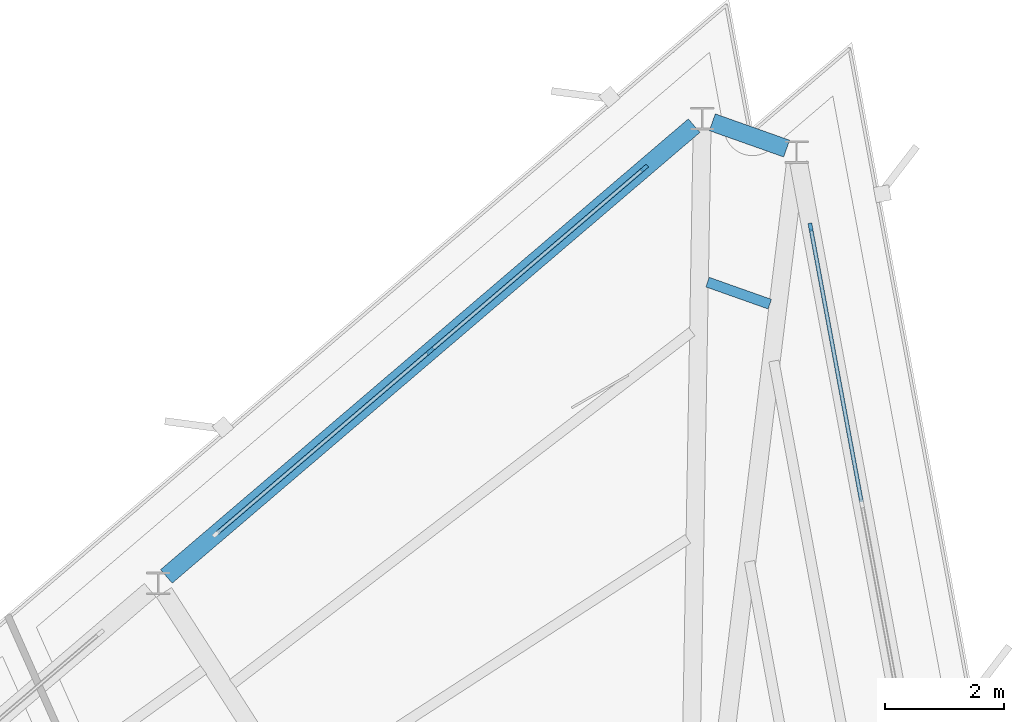
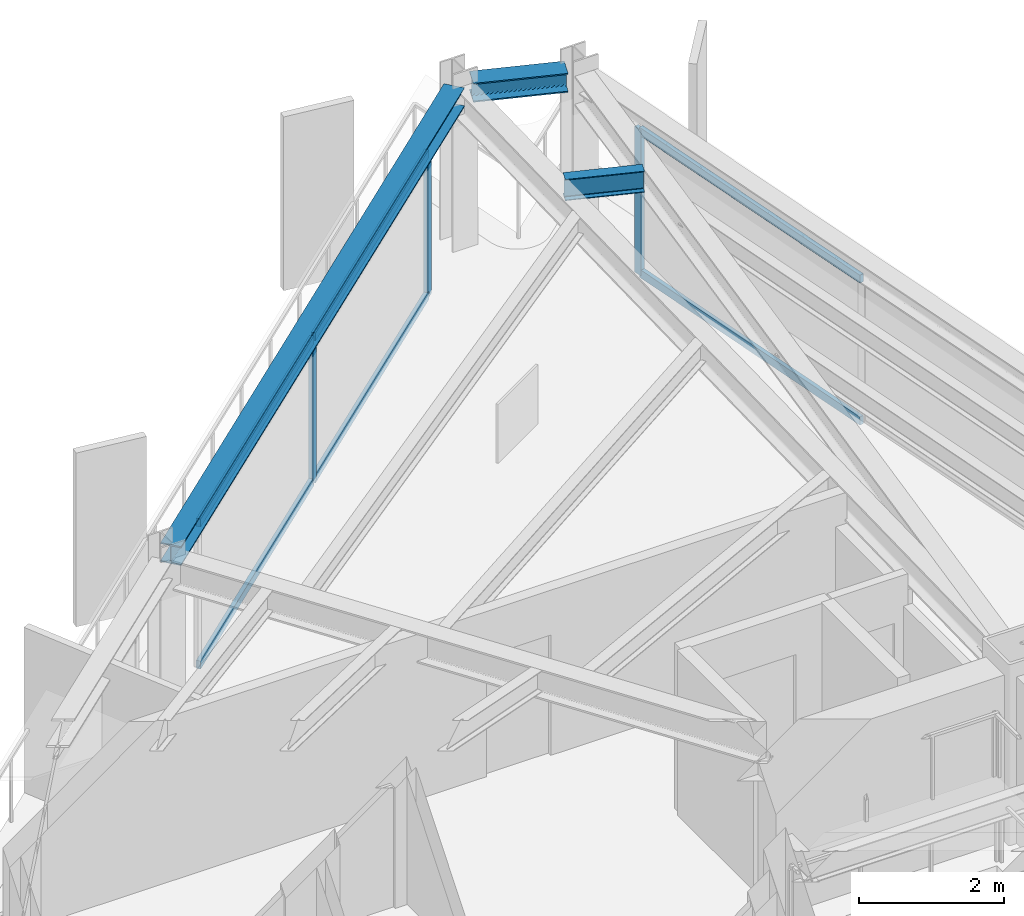
# One storey, part 7 of 14: 9 members, 3 beams, 2 elements without a shape of their own.
"""IFC4 building model written with IfcOpenShell, lengths in metres."""

from ifc_helpers import new_model, si_unit, direction, frame, origin, origin_2d, place, context, subcontext, project, spatial, rectangle, i_section, extrude, material, layer, layer_set, material_profile, profile_set, type_object, element, aggregate, save


model = new_model("IFC4")

# Units and contexts
model_context = context("Model", 3, precision=1e-05, world=origin(), true_north=direction((0.0, 1.0)))
body_context = subcontext(model_context, "Body", "Model", "MODEL_VIEW")
ifc_project = project(units=[si_unit("LENGTHUNIT", "METRE"), si_unit("AREAUNIT", "SQUARE_METRE"), si_unit("VOLUMEUNIT", "CUBIC_METRE"), si_unit("PLANEANGLEUNIT", "RADIAN"), si_unit("MASSUNIT", "GRAM", prefix="KILO")], contexts=[model_context])

# Site, building, storey
site_placement = place(None, origin())
site = spatial("IfcSite", under=ifc_project, at=site_placement, CompositionType="ELEMENT")
building_placement = place(site_placement, origin())
building = spatial("IfcBuilding", under=site, at=building_placement, Name="Rocaltana Carrier Exchange", CompositionType="ELEMENT")
storey_placement = place(building_placement, frame((0.0, 0.0, 187.52001953125)))
storey = spatial("IfcBuildingStorey", under=building, at=storey_placement, Name="L59", CompositionType="ELEMENT", Elevation=187.52001953125)

# Curtain wall, member
ifc_material_1 = material(Name="Aluminium 6063-T6", Category="aluminium")
ifc_layer = layer(ifc_material_1, 0.135009765625)
ifc_layer_set = layer_set([ifc_layer], Name="Aluminium 6063-T6")
curtain_wall_type = type_object("IfcCurtainWallType", Name="Upper-Mid Acoustic Curtain Wall CW-04", PredefinedType="NOTDEFINED", material=ifc_layer_set)
curtain_wall_1_placement = place(storey_placement, origin())
curtain_wall_1 = element("IfcCurtainWall", 1, at=curtain_wall_1_placement, inside=storey, type_object=curtain_wall_type, Name="L59 CW-04 Run CW-L59-F1S3", PredefinedType="NOTDEFINED")
ifc_material_2 = material(Name="Aluminium 6063-T6", Category="aluminium")
ifc_material_profile_1 = material_profile(ifc_material_2, rectangle(XDim=0.06494140625, YDim=0.135009765625, at=origin_2d()), Name="AL-65X135")
ifc_profile_set_1 = profile_set([ifc_material_profile_1], Name="Aluminium 6063-T6")
member_type_1 = type_object("IfcMemberType", Name="CW-04 Mullion AL-65X135", PredefinedType="MULLION", material=ifc_profile_set_1)
member_1_placement = place(storey_placement, frame((8.1474609375, 18.56298828125, 0.0), z_axis=(0.0, 0.0, 1.0), x_axis=(-0.983254796134, -0.182236126712, 0.0)))
member_1 = element("IfcMember", 2, at=member_1_placement, type_object=member_type_1, Name="CW-04 mullion 3", PredefinedType="MULLION", context=body_context, shape_type="SweptSolid", body=[
    extrude(rectangle(XDim=0.06494140625, YDim=0.135009765625, at=origin_2d()), origin(), (0.0, 0.0, 1.0), 2.447998046875),
])

# Curtain wall, members
curtain_wall_2_placement = place(storey_placement, origin())
curtain_wall_2 = element("IfcCurtainWall", 3, at=curtain_wall_2_placement, inside=storey, type_object=curtain_wall_type, Name="L59 CW-04 Run CW-L59-F2S1", PredefinedType="NOTDEFINED")
member_2_placement = place(storey_placement, frame((5.350341796875, 19.5537109375, 0.0), z_axis=(0.0, 0.0, 1.0), x_axis=(0.649447944918, -0.760406053922, 0.0)))
member_2 = element("IfcMember", 4, at=member_2_placement, type_object=member_type_1, Name="CW-04 mullion 1", PredefinedType="MULLION", context=body_context, shape_type="SweptSolid", body=[
    extrude(rectangle(XDim=0.06494140625, YDim=0.135009765625, at=origin_2d()), origin(), (0.0, 0.0, 1.0), 2.447998046875),
])
member_3_placement = place(storey_placement, frame((1.75048828125, 16.47900390625, 0.0), z_axis=(0.0, 0.0, 1.0), x_axis=(0.649447944918, -0.760406053922, 0.0)))
member_3 = element("IfcMember", 5, at=member_3_placement, type_object=member_type_1, Name="CW-04 mullion 2", PredefinedType="MULLION", context=body_context, shape_type="SweptSolid", body=[
    extrude(rectangle(XDim=0.06494140625, YDim=0.135009765625, at=origin_2d()), origin(), (0.0, 0.0, 1.0), 2.447998046875),
])

# Member
ifc_material_3 = material(Name="Aluminium 6063-T6", Category="aluminium")
ifc_material_profile_2 = material_profile(ifc_material_3, rectangle(XDim=0.06494140625, YDim=0.135009765625, at=origin_2d()), Name="AL-65X135")
ifc_profile_set_2 = profile_set([ifc_material_profile_2], Name="Aluminium 6063-T6")
member_type_2 = type_object("IfcMemberType", Name="CW-04 Transom AL-65X135", PredefinedType="USERDEFINED", material=ifc_profile_set_2)
member_4_placement = place(storey_placement, frame((9.00439453125, 13.940185546875, 0.032470703125), z_axis=(-0.182229691605, 0.983255988793, 0.0), x_axis=(-0.983255988793, -0.182229691605, 0.0)))
member_4 = element("IfcMember", 6, at=member_4_placement, type_object=member_type_2, Name="CW-04 transom 2.1", ObjectType="TRANSOM", PredefinedType="USERDEFINED", context=body_context, shape_type="SweptSolid", body=[
    extrude(rectangle(XDim=0.06494140625, YDim=0.135009765625, at=origin_2d()), origin(), (0.0, 0.0, 1.0), 4.6689453125),
])

member_5_placement = place(storey_placement, frame((9.00439453125, 13.940185546875, 2.41552734375), z_axis=(-0.182229691605, 0.983255988793, 0.0), x_axis=(-0.983255988793, -0.182229691605, 0.0)))
member_5 = element("IfcMember", 7, at=member_5_placement, type_object=member_type_2, Name="CW-04 transom 2.2", ObjectType="TRANSOM", PredefinedType="USERDEFINED", context=body_context, shape_type="SweptSolid", body=[
    extrude(rectangle(XDim=0.06494140625, YDim=0.135009765625, at=origin_2d()), origin(), (0.0, 0.0, 1.0), 4.6689453125),
])

aggregate(curtain_wall_1, [member_1, member_4, member_5])

member_6_placement = place(storey_placement, frame((5.32568359375, 19.532470703125, 0.032470703125), z_axis=(-0.760429086615, -0.649420976123, 0.0), x_axis=(0.649420976123, -0.760429086615, 0.0)))
member_6 = element("IfcMember", 8, at=member_6_placement, type_object=member_type_2, Name="CW-04 transom 1.1", ObjectType="TRANSOM", PredefinedType="USERDEFINED", context=body_context, shape_type="SweptSolid", body=[
    extrude(rectangle(XDim=0.06494140625, YDim=0.135009765625, at=origin_2d()), origin(), (0.0, 0.0, 1.0), 4.669189453125),
])

member_7_placement = place(storey_placement, frame((5.32568359375, 19.532470703125, 2.41552734375), z_axis=(-0.760429086615, -0.649420976123, 0.0), x_axis=(0.649420976123, -0.760429086615, 0.0)))
member_7 = element("IfcMember", 9, at=member_7_placement, type_object=member_type_2, Name="CW-04 transom 1.2", ObjectType="TRANSOM", PredefinedType="USERDEFINED", context=body_context, shape_type="SweptSolid", body=[
    extrude(rectangle(XDim=0.06494140625, YDim=0.135009765625, at=origin_2d()), origin(), (0.0, 0.0, 1.0), 4.669189453125),
])

member_8_placement = place(storey_placement, frame((1.7255859375, 16.4580078125, 0.032470703125), z_axis=(-0.760381209804, -0.649477032525, 0.0), x_axis=(0.649477032525, -0.760381209804, 0.0)))
member_8 = element("IfcMember", 10, at=member_8_placement, type_object=member_type_2, Name="CW-04 transom 2.1", ObjectType="TRANSOM", PredefinedType="USERDEFINED", context=body_context, shape_type="SweptSolid", body=[
    extrude(rectangle(XDim=0.06494140625, YDim=0.135009765625, at=origin_2d()), origin(), (0.0, 0.0, 1.0), 4.669189453125),
])

member_9_placement = place(storey_placement, frame((1.7255859375, 16.4580078125, 2.41552734375), z_axis=(-0.760381209804, -0.649477032525, 0.0), x_axis=(0.649477032525, -0.760381209804, 0.0)))
member_9 = element("IfcMember", 11, at=member_9_placement, type_object=member_type_2, Name="CW-04 transom 2.2", ObjectType="TRANSOM", PredefinedType="USERDEFINED", context=body_context, shape_type="SweptSolid", body=[
    extrude(rectangle(XDim=0.06494140625, YDim=0.135009765625, at=origin_2d()), origin(), (0.0, 0.0, 1.0), 4.669189453125),
])

aggregate(curtain_wall_2, [member_2, member_3, member_6, member_7, member_8, member_9])

# Beams
ifc_material_4 = material(Name="Steel S355", Category="steel")
ifc_material_profile_3 = material_profile(ifc_material_4, i_section(OverallWidth=0.172119140625, OverallDepth=0.35791015625, WebThickness=0.0078125, FlangeThickness=0.01318359375, FilletRadius=0.011962890625, at=origin_2d()), Name="W14X38")
ifc_profile_set_3 = profile_set([ifc_material_profile_3], Name="Steel S355")
beam_type_1 = type_object("IfcBeamType", Name="Floor Joist W14X38", PredefinedType="JOIST", material=ifc_profile_set_3)
beam_1_placement = place(storey_placement, frame((7.461181640625, 17.26708984375, 2.618896484375), z_axis=(-0.942673337603, 0.333716913825, 0.0), x_axis=(-0.333716913825, -0.942673337603, 0.0)))
element("IfcBeam", 12, at=beam_1_placement, inside=storey, type_object=beam_type_1, Name="FJ-L59-04-3", PredefinedType="JOIST", context=body_context, shape_type="SweptSolid", body=[
    extrude(i_section(OverallWidth=0.172119140625, OverallDepth=0.35791015625, WebThickness=0.0078125, FlangeThickness=0.01318359375, FilletRadius=0.011962890625, at=origin_2d()), origin(), (0.0, 0.0, 1.0), 1.110595703125),
])
ifc_material_5 = material(Name="Steel S355", Category="steel")
ifc_material_profile_4 = material_profile(ifc_material_5, i_section(OverallWidth=0.300048828125, OverallDepth=0.320068359375, WebThickness=0.011474609375, FlangeThickness=0.0205078125, FilletRadius=0.027099609375, at=origin_2d()), Name="HEB320")
ifc_profile_set_4 = profile_set([ifc_material_profile_4], Name="Steel S355")
beam_type_2 = type_object("IfcBeamType", Name="Spandrel Edge Beam HEB320", PredefinedType="SPANDREL", material=ifc_profile_set_4)
beam_2_placement = place(storey_placement, frame((7.74462890625, 19.884033203125, 2.637939453125), z_axis=(-0.942646536387, 0.33379261142, 0.0), x_axis=(-0.33379261142, -0.942646536387, 0.0)))
element("IfcBeam", 13, at=beam_2_placement, inside=storey, type_object=beam_type_2, Name="SP-L59-04", PredefinedType="SPANDREL", context=body_context, shape_type="SweptSolid", body=[
    extrude(i_section(OverallWidth=0.300048828125, OverallDepth=0.320068359375, WebThickness=0.011474609375, FlangeThickness=0.0205078125, FilletRadius=0.027099609375, at=origin_2d()), origin(), (0.0, 0.0, 1.0), 1.326171875),
])
beam_3_placement = place(storey_placement, frame((6.18896484375, 20.27001953125, 2.637939453125), z_axis=(-0.760408318274, -0.649445293693, 0.0), x_axis=(0.649445293693, -0.760408318274, 0.0)))
element("IfcBeam", 14, at=beam_3_placement, inside=storey, type_object=beam_type_2, Name="SP-L59-05", PredefinedType="SPANDREL", context=body_context, shape_type="SweptSolid", body=[
    extrude(i_section(OverallWidth=0.300048828125, OverallDepth=0.320068359375, WebThickness=0.011474609375, FlangeThickness=0.0205078125, FilletRadius=0.027099609375, at=origin_2d()), origin(), (0.0, 0.0, 1.0), 11.67431640625),
])

save(model, "model.ifc")
